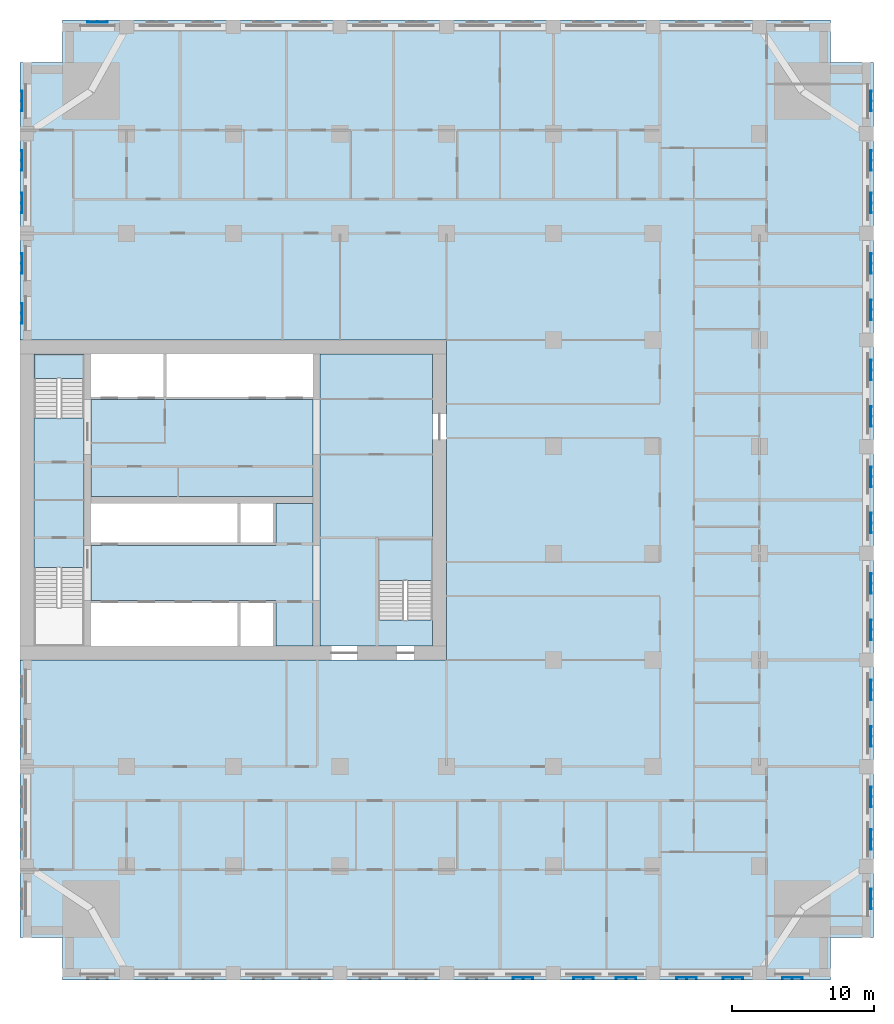
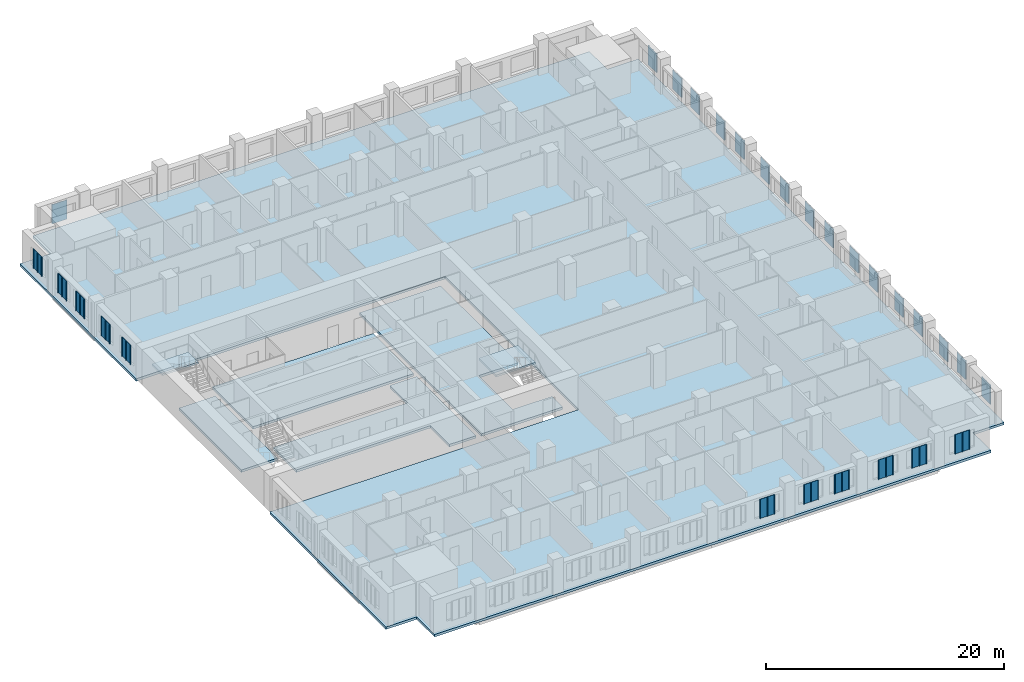
# One storey, part 2 of 14: 28 plates, 7 slabs, 2 elements without a shape of their own.
"""IFC4 building model written with IfcOpenShell, lengths in metres."""

from ifc_helpers import new_model, si_unit, direction, frame, origin, place, context, subcontext, project, spatial, polyline, outline, extrude, material, layer, layer_set, type_object, element, aggregate, save


model = new_model("IFC4")

# Units and contexts
model_context = context("Model", 3, precision=1e-05, world=origin(), true_north=direction((0.0, 1.0)))
body_context = subcontext(model_context, "Body", "Model", "MODEL_VIEW")
ifc_project = project(units=[si_unit("LENGTHUNIT", "METRE"), si_unit("AREAUNIT", "SQUARE_METRE"), si_unit("VOLUMEUNIT", "CUBIC_METRE"), si_unit("PLANEANGLEUNIT", "RADIAN"), si_unit("MASSUNIT", "GRAM", prefix="KILO")], contexts=[model_context])

# Site, building, storey
site_placement = place(None, origin())
site = spatial("IfcSite", under=ifc_project, at=site_placement, CompositionType="ELEMENT")
building_placement = place(site_placement, origin())
building = spatial("IfcBuilding", under=site, at=building_placement, Name="Tamorin Gate", CompositionType="ELEMENT")
storey_placement = place(building_placement, frame((0.0, 0.0, 37.60009765625)))
storey = spatial("IfcBuildingStorey", under=building, at=storey_placement, Name="L07", CompositionType="ELEMENT", Elevation=37.60009765625)

# Slabs
ifc_material_1 = material(Name="Concrete C40/50", Category="concrete")
ifc_layer_1 = layer(ifc_material_1, 0.25)
ifc_layer_set_1 = layer_set([ifc_layer_1], Name="Core floor slab 250 C40/50")
slab_type_1 = type_object("IfcSlabType", Name="Core floor slab 250 C40/50", PredefinedType="FLOOR", material=ifc_layer_set_1)
slab_1_placement = place(storey_placement, frame((0.0, 0.0, -0.25)))
element("IfcSlab", 1, at=slab_1_placement, inside=storey, type_object=slab_type_1, Name="Core floor L07", PredefinedType="FLOOR", context=body_context, shape_type="SweptSolid", body=[
    extrude(outline(polyline([(59.0, 62.800048828125), (59.0, 61.0), (51.10009765625, 61.0), (51.10009765625, 81.5), (59.0, 81.5), (59.0, 68.5), (55.199951171875, 68.5), (55.199951171875, 62.800048828125), (59.0, 62.800048828125)])), origin(), (0.0, 0.0, 1.0), 0.25),
])
slab_2_placement = place(storey_placement, frame((0.0, 0.0, -0.25)))
element("IfcSlab", 2, at=slab_2_placement, inside=storey, type_object=slab_type_1, Name="Core floor L07", PredefinedType="FLOOR", context=body_context, shape_type="SweptSolid", body=[
    extrude(outline(polyline([(50.60009765625, 61.0), (48.0, 61.0), (48.0, 64.199951171875), (35.0, 64.199951171875), (35.0, 68.050048828125), (48.0, 68.050048828125), (48.0, 71.0), (50.60009765625, 71.0), (50.60009765625, 61.0)])), origin(), (0.0, 0.0, 1.0), 0.25),
])
slab_3_placement = place(storey_placement, frame((0.0, 0.0, -0.25)))
element("IfcSlab", 3, at=slab_3_placement, inside=storey, type_object=slab_type_1, Name="Core floor L07", PredefinedType="FLOOR", context=body_context, shape_type="SweptSolid", body=[
    extrude(outline(polyline([(50.60009765625, 71.5), (35.0, 71.5), (35.0, 78.300048828125), (50.60009765625, 78.300048828125), (50.60009765625, 71.5)])), origin(), (0.0, 0.0, 1.0), 0.25),
])
slab_4_placement = place(storey_placement, frame((0.0, 0.0, -0.25)))
element("IfcSlab", 4, at=slab_4_placement, inside=storey, type_object=slab_type_1, Name="Core floor L07", PredefinedType="FLOOR", context=body_context, shape_type="SweptSolid", body=[
    extrude(outline(polyline([(31.0, 66.5), (31.0, 77.0), (34.5, 77.0), (34.5, 66.5), (31.0, 66.5)])), origin(), (0.0, 0.0, 1.0), 0.25),
])

# Stair, slab
stair_type = type_object("IfcStairType", Name="Exit stair", PredefinedType="HALF_TURN_STAIR", material=ifc_material_1)
stair_1_placement = place(storey_placement, origin())
stair_1 = element("IfcStair", 5, at=stair_1_placement, inside=storey, type_object=stair_type, Name="L07 stair ST2", PredefinedType="HALF_TURN_STAIR")
ifc_layer_2 = layer(ifc_material_1, 0.199951171875)
ifc_layer_set_2 = layer_set([ifc_layer_2], Name="Exit stair landing 200")
slab_type_2 = type_object("IfcSlabType", Name="Exit stair landing 200", PredefinedType="LANDING", material=ifc_layer_set_2)
slab_5_placement = place(storey_placement, frame((0.0, 0.0, 1.599853515625)))
slab_5 = element("IfcSlab", 6, at=slab_5_placement, type_object=slab_type_2, Name="ST2 landing 1", PredefinedType="LANDING", context=body_context, shape_type="SweptSolid", body=[
    extrude(outline(polyline([(34.5, 79.800048828125), (34.5, 81.5), (31.0, 81.5), (31.0, 79.800048828125), (34.5, 79.800048828125)])), origin(), (0.0, 0.0, 1.0), 0.199951171875),
])
aggregate(stair_1, [slab_5])

stair_2_placement = place(storey_placement, origin())
stair_2 = element("IfcStair", 7, at=stair_2_placement, inside=storey, type_object=stair_type, Name="L07 stair ST3", PredefinedType="HALF_TURN_STAIR")
slab_6_placement = place(storey_placement, frame((0.0, 0.0, 1.599853515625)))
slab_6 = element("IfcSlab", 8, at=slab_6_placement, type_object=slab_type_2, Name="ST3 landing 1", PredefinedType="LANDING", context=body_context, shape_type="SweptSolid", body=[
    extrude(outline(polyline([(59.0, 65.60009765625), (59.0, 68.5), (55.199951171875, 68.5), (55.199951171875, 65.60009765625), (59.0, 65.60009765625)])), origin(), (0.0, 0.0, 1.0), 0.199951171875),
])
aggregate(stair_2, [slab_6])

# Slab
ifc_layer_3 = layer(ifc_material_1, 0.25)
ifc_layer_set_3 = layer_set([ifc_layer_3], Name="Floor slab 250 C40/50")
slab_type_3 = type_object("IfcSlabType", Name="Floor slab 250 C40/50", PredefinedType="FLOOR", material=ifc_layer_set_3)
slab_7_placement = place(storey_placement, frame((0.0, 0.0, -0.25)))
element("IfcSlab", 9, at=slab_7_placement, inside=storey, type_object=slab_type_3, Name="Floor L07", PredefinedType="FLOOR", context=body_context, shape_type="SweptSolid", body=[
    extrude(outline(polyline([(30.0, 102.0), (33.0, 102.0), (33.0, 105.0), (87.0, 105.0), (87.0, 102.0), (90.0, 102.0), (90.0, 40.5), (87.0, 40.5), (87.0, 37.5), (33.0, 37.5), (33.0, 40.5), (30.0, 40.5), (30.0, 60.0), (60.0, 60.0), (60.0, 82.5), (30.0, 82.5), (30.0, 102.0)])), origin(), (0.0, 0.0, 1.0), 0.25),
])

# Plates
ifc_material_2 = material(Name="Perforated pale aluminium sheet", Category="aluminium")
ifc_layer_4 = layer(ifc_material_2, 0.0400390625)
ifc_layer_set_4 = layer_set([ifc_layer_4], Name="Pale metal solar screen 1440")
plate_type = type_object("IfcPlateType", Name="Pale metal solar screen 1440", PredefinedType="SHEET", material=ifc_layer_set_4)
plate_1_placement = place(storey_placement, frame((0.0, 0.0, 0.7099609375)))
element("IfcPlate", 10, at=plate_1_placement, inside=storey, type_object=plate_type, Name="Perforated solar screen", PredefinedType="SHEET", context=body_context, shape_type="SweptSolid", body=[
    extrude(outline(polyline([(64.655029296875, 37.659912109375), (64.655029296875, 37.699951171875), (64.715087890625, 37.699951171875), (65.344970703125, 37.699951171875), (65.405029296875, 37.699951171875), (66.034912109375, 37.699951171875), (66.094970703125, 37.699951171875), (66.094970703125, 37.659912109375), (66.094970703125, 37.60009765625), (66.034912109375, 37.60009765625), (66.034912109375, 37.659912109375), (65.405029296875, 37.659912109375), (65.405029296875, 37.60009765625), (65.344970703125, 37.60009765625), (65.344970703125, 37.659912109375), (64.715087890625, 37.659912109375), (64.715087890625, 37.60009765625), (64.655029296875, 37.60009765625), (64.655029296875, 37.659912109375)])), origin(), (0.0, 0.0, 1.0), 1.97998046875),
])
plate_2_placement = place(storey_placement, frame((0.0, 0.0, 0.7099609375)))
element("IfcPlate", 11, at=plate_2_placement, inside=storey, type_object=plate_type, Name="Perforated solar screen", PredefinedType="SHEET", context=body_context, shape_type="SweptSolid", body=[
    extrude(outline(polyline([(68.905029296875, 37.659912109375), (68.905029296875, 37.699951171875), (68.965087890625, 37.699951171875), (69.594970703125, 37.699951171875), (69.655029296875, 37.699951171875), (70.284912109375, 37.699951171875), (70.344970703125, 37.699951171875), (70.344970703125, 37.659912109375), (70.344970703125, 37.60009765625), (70.284912109375, 37.60009765625), (70.284912109375, 37.659912109375), (69.655029296875, 37.659912109375), (69.655029296875, 37.60009765625), (69.594970703125, 37.60009765625), (69.594970703125, 37.659912109375), (68.965087890625, 37.659912109375), (68.965087890625, 37.60009765625), (68.905029296875, 37.60009765625), (68.905029296875, 37.659912109375)])), origin(), (0.0, 0.0, 1.0), 1.97998046875),
])
plate_3_placement = place(storey_placement, frame((0.0, 0.0, 0.7099609375)))
element("IfcPlate", 12, at=plate_3_placement, inside=storey, type_object=plate_type, Name="Perforated solar screen", PredefinedType="SHEET", context=body_context, shape_type="SweptSolid", body=[
    extrude(outline(polyline([(71.905029296875, 37.659912109375), (71.905029296875, 37.699951171875), (71.965087890625, 37.699951171875), (72.594970703125, 37.699951171875), (72.655029296875, 37.699951171875), (73.284912109375, 37.699951171875), (73.344970703125, 37.699951171875), (73.344970703125, 37.659912109375), (73.344970703125, 37.60009765625), (73.284912109375, 37.60009765625), (73.284912109375, 37.659912109375), (72.655029296875, 37.659912109375), (72.655029296875, 37.60009765625), (72.594970703125, 37.60009765625), (72.594970703125, 37.659912109375), (71.965087890625, 37.659912109375), (71.965087890625, 37.60009765625), (71.905029296875, 37.60009765625), (71.905029296875, 37.659912109375)])), origin(), (0.0, 0.0, 1.0), 1.97998046875),
])
plate_4_placement = place(storey_placement, frame((0.0, 0.0, 0.7099609375)))
element("IfcPlate", 13, at=plate_4_placement, inside=storey, type_object=plate_type, Name="Perforated solar screen", PredefinedType="SHEET", context=body_context, shape_type="SweptSolid", body=[
    extrude(outline(polyline([(76.155029296875, 37.659912109375), (76.155029296875, 37.699951171875), (76.215087890625, 37.699951171875), (76.844970703125, 37.699951171875), (76.905029296875, 37.699951171875), (77.534912109375, 37.699951171875), (77.594970703125, 37.699951171875), (77.594970703125, 37.659912109375), (77.594970703125, 37.60009765625), (77.534912109375, 37.60009765625), (77.534912109375, 37.659912109375), (76.905029296875, 37.659912109375), (76.905029296875, 37.60009765625), (76.844970703125, 37.60009765625), (76.844970703125, 37.659912109375), (76.215087890625, 37.659912109375), (76.215087890625, 37.60009765625), (76.155029296875, 37.60009765625), (76.155029296875, 37.659912109375)])), origin(), (0.0, 0.0, 1.0), 1.97998046875),
])
plate_5_placement = place(storey_placement, frame((0.0, 0.0, 0.7099609375)))
element("IfcPlate", 14, at=plate_5_placement, inside=storey, type_object=plate_type, Name="Perforated solar screen", PredefinedType="SHEET", context=body_context, shape_type="SweptSolid", body=[
    extrude(outline(polyline([(79.405029296875, 37.659912109375), (79.405029296875, 37.699951171875), (79.465087890625, 37.699951171875), (80.094970703125, 37.699951171875), (80.155029296875, 37.699951171875), (80.784912109375, 37.699951171875), (80.844970703125, 37.699951171875), (80.844970703125, 37.659912109375), (80.844970703125, 37.60009765625), (80.784912109375, 37.60009765625), (80.784912109375, 37.659912109375), (80.155029296875, 37.659912109375), (80.155029296875, 37.60009765625), (80.094970703125, 37.60009765625), (80.094970703125, 37.659912109375), (79.465087890625, 37.659912109375), (79.465087890625, 37.60009765625), (79.405029296875, 37.60009765625), (79.405029296875, 37.659912109375)])), origin(), (0.0, 0.0, 1.0), 1.97998046875),
])
plate_6_placement = place(storey_placement, frame((0.0, 0.0, 0.7099609375)))
element("IfcPlate", 15, at=plate_6_placement, inside=storey, type_object=plate_type, Name="Perforated solar screen", PredefinedType="SHEET", context=body_context, shape_type="SweptSolid", body=[
    extrude(outline(polyline([(83.580078125, 37.659912109375), (83.580078125, 37.699951171875), (83.639892578125, 37.699951171875), (84.27001953125, 37.699951171875), (84.330078125, 37.699951171875), (84.9599609375, 37.699951171875), (85.02001953125, 37.699951171875), (85.02001953125, 37.659912109375), (85.02001953125, 37.60009765625), (84.9599609375, 37.60009765625), (84.9599609375, 37.659912109375), (84.330078125, 37.659912109375), (84.330078125, 37.60009765625), (84.27001953125, 37.60009765625), (84.27001953125, 37.659912109375), (83.639892578125, 37.659912109375), (83.639892578125, 37.60009765625), (83.580078125, 37.60009765625), (83.580078125, 37.659912109375)])), origin(), (0.0, 0.0, 1.0), 1.97998046875),
])
plate_7_placement = place(storey_placement, frame((0.0, 0.0, 0.7099609375)))
element("IfcPlate", 16, at=plate_7_placement, inside=storey, type_object=plate_type, Name="Perforated solar screen", PredefinedType="SHEET", context=body_context, shape_type="SweptSolid", body=[
    extrude(outline(polyline([(89.840087890625, 42.47998046875), (89.800048828125, 42.47998046875), (89.800048828125, 42.5400390625), (89.800048828125, 43.169921875), (89.800048828125, 43.22998046875), (89.800048828125, 43.860107421875), (89.800048828125, 43.919921875), (89.840087890625, 43.919921875), (89.89990234375, 43.919921875), (89.89990234375, 43.860107421875), (89.840087890625, 43.860107421875), (89.840087890625, 43.22998046875), (89.89990234375, 43.22998046875), (89.89990234375, 43.169921875), (89.840087890625, 43.169921875), (89.840087890625, 42.5400390625), (89.89990234375, 42.5400390625), (89.89990234375, 42.47998046875), (89.840087890625, 42.47998046875)])), origin(), (0.0, 0.0, 1.0), 1.97998046875),
])
plate_8_placement = place(storey_placement, frame((0.0, 0.0, 0.7099609375)))
element("IfcPlate", 17, at=plate_8_placement, inside=storey, type_object=plate_type, Name="Perforated solar screen", PredefinedType="SHEET", context=body_context, shape_type="SweptSolid", body=[
    extrude(outline(polyline([(89.840087890625, 46.655029296875), (89.800048828125, 46.655029296875), (89.800048828125, 46.715087890625), (89.800048828125, 47.344970703125), (89.800048828125, 47.405029296875), (89.800048828125, 48.034912109375), (89.800048828125, 48.094970703125), (89.800048828125, 48.094970703125), (89.840087890625, 48.094970703125), (89.840087890625, 48.094970703125), (89.89990234375, 48.094970703125), (89.89990234375, 48.034912109375), (89.840087890625, 48.034912109375), (89.840087890625, 47.405029296875), (89.89990234375, 47.405029296875), (89.89990234375, 47.344970703125), (89.840087890625, 47.344970703125), (89.840087890625, 46.715087890625), (89.89990234375, 46.715087890625), (89.89990234375, 46.655029296875), (89.840087890625, 46.655029296875)])), origin(), (0.0, 0.0, 1.0), 1.97998046875),
])
plate_9_placement = place(storey_placement, frame((0.0, 0.0, 0.7099609375)))
element("IfcPlate", 18, at=plate_9_placement, inside=storey, type_object=plate_type, Name="Perforated solar screen", PredefinedType="SHEET", context=body_context, shape_type="SweptSolid", body=[
    extrude(outline(polyline([(89.840087890625, 49.655029296875), (89.800048828125, 49.655029296875), (89.800048828125, 49.715087890625), (89.800048828125, 50.344970703125), (89.800048828125, 50.405029296875), (89.800048828125, 51.034912109375), (89.800048828125, 51.094970703125), (89.840087890625, 51.094970703125), (89.89990234375, 51.094970703125), (89.89990234375, 51.034912109375), (89.840087890625, 51.034912109375), (89.840087890625, 50.405029296875), (89.89990234375, 50.405029296875), (89.89990234375, 50.344970703125), (89.840087890625, 50.344970703125), (89.840087890625, 49.715087890625), (89.89990234375, 49.715087890625), (89.89990234375, 49.655029296875), (89.840087890625, 49.655029296875)])), origin(), (0.0, 0.0, 1.0), 1.97998046875),
])
plate_10_placement = place(storey_placement, frame((0.0, 0.0, 0.7099609375)))
element("IfcPlate", 19, at=plate_10_placement, inside=storey, type_object=plate_type, Name="Perforated solar screen", PredefinedType="SHEET", context=body_context, shape_type="SweptSolid", body=[
    extrude(outline(polyline([(89.840087890625, 53.905029296875), (89.800048828125, 53.905029296875), (89.800048828125, 53.965087890625), (89.800048828125, 54.594970703125), (89.800048828125, 54.655029296875), (89.800048828125, 55.284912109375), (89.800048828125, 55.344970703125), (89.840087890625, 55.344970703125), (89.89990234375, 55.344970703125), (89.89990234375, 55.284912109375), (89.840087890625, 55.284912109375), (89.840087890625, 54.655029296875), (89.89990234375, 54.655029296875), (89.89990234375, 54.594970703125), (89.840087890625, 54.594970703125), (89.840087890625, 53.965087890625), (89.89990234375, 53.965087890625), (89.89990234375, 53.905029296875), (89.840087890625, 53.905029296875)])), origin(), (0.0, 0.0, 1.0), 1.97998046875),
])
plate_11_placement = place(storey_placement, frame((0.0, 0.0, 0.7099609375)))
element("IfcPlate", 20, at=plate_11_placement, inside=storey, type_object=plate_type, Name="Perforated solar screen", PredefinedType="SHEET", context=body_context, shape_type="SweptSolid", body=[
    extrude(outline(polyline([(89.840087890625, 57.155029296875), (89.800048828125, 57.155029296875), (89.800048828125, 57.215087890625), (89.800048828125, 57.844970703125), (89.800048828125, 57.905029296875), (89.800048828125, 58.534912109375), (89.800048828125, 58.594970703125), (89.840087890625, 58.594970703125), (89.89990234375, 58.594970703125), (89.89990234375, 58.534912109375), (89.840087890625, 58.534912109375), (89.840087890625, 57.905029296875), (89.89990234375, 57.905029296875), (89.89990234375, 57.844970703125), (89.840087890625, 57.844970703125), (89.840087890625, 57.215087890625), (89.89990234375, 57.215087890625), (89.89990234375, 57.155029296875), (89.840087890625, 57.155029296875)])), origin(), (0.0, 0.0, 1.0), 1.97998046875),
])
plate_12_placement = place(storey_placement, frame((0.0, 0.0, 0.7099609375)))
element("IfcPlate", 21, at=plate_12_placement, inside=storey, type_object=plate_type, Name="Perforated solar screen", PredefinedType="SHEET", context=body_context, shape_type="SweptSolid", body=[
    extrude(outline(polyline([(89.840087890625, 61.405029296875), (89.800048828125, 61.405029296875), (89.800048828125, 61.465087890625), (89.800048828125, 62.094970703125), (89.800048828125, 62.155029296875), (89.800048828125, 62.784912109375), (89.800048828125, 62.844970703125), (89.840087890625, 62.844970703125), (89.89990234375, 62.844970703125), (89.89990234375, 62.784912109375), (89.840087890625, 62.784912109375), (89.840087890625, 62.155029296875), (89.89990234375, 62.155029296875), (89.89990234375, 62.094970703125), (89.840087890625, 62.094970703125), (89.840087890625, 61.465087890625), (89.89990234375, 61.465087890625), (89.89990234375, 61.405029296875), (89.840087890625, 61.405029296875)])), origin(), (0.0, 0.0, 1.0), 1.97998046875),
])
plate_13_placement = place(storey_placement, frame((0.0, 0.0, 0.7099609375)))
element("IfcPlate", 22, at=plate_13_placement, inside=storey, type_object=plate_type, Name="Perforated solar screen", PredefinedType="SHEET", context=body_context, shape_type="SweptSolid", body=[
    extrude(outline(polyline([(89.840087890625, 64.655029296875), (89.800048828125, 64.655029296875), (89.800048828125, 64.715087890625), (89.800048828125, 65.344970703125), (89.800048828125, 65.405029296875), (89.800048828125, 66.034912109375), (89.800048828125, 66.094970703125), (89.840087890625, 66.094970703125), (89.89990234375, 66.094970703125), (89.89990234375, 66.034912109375), (89.840087890625, 66.034912109375), (89.840087890625, 65.405029296875), (89.89990234375, 65.405029296875), (89.89990234375, 65.344970703125), (89.840087890625, 65.344970703125), (89.840087890625, 64.715087890625), (89.89990234375, 64.715087890625), (89.89990234375, 64.655029296875), (89.840087890625, 64.655029296875)])), origin(), (0.0, 0.0, 1.0), 1.97998046875),
])
plate_14_placement = place(storey_placement, frame((0.0, 0.0, 0.7099609375)))
element("IfcPlate", 23, at=plate_14_placement, inside=storey, type_object=plate_type, Name="Perforated solar screen", PredefinedType="SHEET", context=body_context, shape_type="SweptSolid", body=[
    extrude(outline(polyline([(89.840087890625, 68.905029296875), (89.800048828125, 68.905029296875), (89.800048828125, 68.965087890625), (89.800048828125, 69.594970703125), (89.800048828125, 69.655029296875), (89.800048828125, 70.284912109375), (89.800048828125, 70.344970703125), (89.840087890625, 70.344970703125), (89.89990234375, 70.344970703125), (89.89990234375, 70.284912109375), (89.840087890625, 70.284912109375), (89.840087890625, 69.655029296875), (89.89990234375, 69.655029296875), (89.89990234375, 69.594970703125), (89.840087890625, 69.594970703125), (89.840087890625, 68.965087890625), (89.89990234375, 68.965087890625), (89.89990234375, 68.905029296875), (89.840087890625, 68.905029296875)])), origin(), (0.0, 0.0, 1.0), 1.97998046875),
])
plate_15_placement = place(storey_placement, frame((0.0, 0.0, 0.7099609375)))
element("IfcPlate", 24, at=plate_15_placement, inside=storey, type_object=plate_type, Name="Perforated solar screen", PredefinedType="SHEET", context=body_context, shape_type="SweptSolid", body=[
    extrude(outline(polyline([(89.840087890625, 72.155029296875), (89.800048828125, 72.155029296875), (89.800048828125, 72.215087890625), (89.800048828125, 72.844970703125), (89.800048828125, 72.905029296875), (89.800048828125, 73.534912109375), (89.800048828125, 73.594970703125), (89.840087890625, 73.594970703125), (89.89990234375, 73.594970703125), (89.89990234375, 73.534912109375), (89.840087890625, 73.534912109375), (89.840087890625, 72.905029296875), (89.89990234375, 72.905029296875), (89.89990234375, 72.844970703125), (89.840087890625, 72.844970703125), (89.840087890625, 72.215087890625), (89.89990234375, 72.215087890625), (89.89990234375, 72.155029296875), (89.840087890625, 72.155029296875)])), origin(), (0.0, 0.0, 1.0), 1.97998046875),
])
plate_16_placement = place(storey_placement, frame((0.0, 0.0, 0.7099609375)))
element("IfcPlate", 25, at=plate_16_placement, inside=storey, type_object=plate_type, Name="Perforated solar screen", PredefinedType="SHEET", context=body_context, shape_type="SweptSolid", body=[
    extrude(outline(polyline([(89.840087890625, 76.405029296875), (89.800048828125, 76.405029296875), (89.800048828125, 76.465087890625), (89.800048828125, 77.094970703125), (89.800048828125, 77.155029296875), (89.800048828125, 77.784912109375), (89.800048828125, 77.844970703125), (89.840087890625, 77.844970703125), (89.89990234375, 77.844970703125), (89.89990234375, 77.784912109375), (89.840087890625, 77.784912109375), (89.840087890625, 77.155029296875), (89.89990234375, 77.155029296875), (89.89990234375, 77.094970703125), (89.840087890625, 77.094970703125), (89.840087890625, 76.465087890625), (89.89990234375, 76.465087890625), (89.89990234375, 76.405029296875), (89.840087890625, 76.405029296875)])), origin(), (0.0, 0.0, 1.0), 1.97998046875),
])
plate_17_placement = place(storey_placement, frame((0.0, 0.0, 0.7099609375)))
element("IfcPlate", 26, at=plate_17_placement, inside=storey, type_object=plate_type, Name="Perforated solar screen", PredefinedType="SHEET", context=body_context, shape_type="SweptSolid", body=[
    extrude(outline(polyline([(89.840087890625, 79.655029296875), (89.800048828125, 79.655029296875), (89.800048828125, 79.715087890625), (89.800048828125, 80.344970703125), (89.800048828125, 80.405029296875), (89.800048828125, 81.034912109375), (89.800048828125, 81.094970703125), (89.840087890625, 81.094970703125), (89.89990234375, 81.094970703125), (89.89990234375, 81.034912109375), (89.840087890625, 81.034912109375), (89.840087890625, 80.405029296875), (89.89990234375, 80.405029296875), (89.89990234375, 80.344970703125), (89.840087890625, 80.344970703125), (89.840087890625, 79.715087890625), (89.89990234375, 79.715087890625), (89.89990234375, 79.655029296875), (89.840087890625, 79.655029296875)])), origin(), (0.0, 0.0, 1.0), 1.97998046875),
])
plate_18_placement = place(storey_placement, frame((0.0, 0.0, 0.7099609375)))
element("IfcPlate", 27, at=plate_18_placement, inside=storey, type_object=plate_type, Name="Perforated solar screen", PredefinedType="SHEET", context=body_context, shape_type="SweptSolid", body=[
    extrude(outline(polyline([(89.840087890625, 83.905029296875), (89.800048828125, 83.905029296875), (89.800048828125, 83.965087890625), (89.800048828125, 84.594970703125), (89.800048828125, 84.655029296875), (89.800048828125, 85.284912109375), (89.800048828125, 85.344970703125), (89.840087890625, 85.344970703125), (89.89990234375, 85.344970703125), (89.89990234375, 85.284912109375), (89.840087890625, 85.284912109375), (89.840087890625, 84.655029296875), (89.89990234375, 84.655029296875), (89.89990234375, 84.594970703125), (89.840087890625, 84.594970703125), (89.840087890625, 83.965087890625), (89.89990234375, 83.965087890625), (89.89990234375, 83.905029296875), (89.840087890625, 83.905029296875)])), origin(), (0.0, 0.0, 1.0), 1.97998046875),
])
plate_19_placement = place(storey_placement, frame((0.0, 0.0, 0.7099609375)))
element("IfcPlate", 28, at=plate_19_placement, inside=storey, type_object=plate_type, Name="Perforated solar screen", PredefinedType="SHEET", context=body_context, shape_type="SweptSolid", body=[
    extrude(outline(polyline([(89.840087890625, 87.155029296875), (89.800048828125, 87.155029296875), (89.800048828125, 87.215087890625), (89.800048828125, 87.844970703125), (89.800048828125, 87.905029296875), (89.800048828125, 88.534912109375), (89.800048828125, 88.594970703125), (89.840087890625, 88.594970703125), (89.89990234375, 88.594970703125), (89.89990234375, 88.534912109375), (89.840087890625, 88.534912109375), (89.840087890625, 87.905029296875), (89.89990234375, 87.905029296875), (89.89990234375, 87.844970703125), (89.840087890625, 87.844970703125), (89.840087890625, 87.215087890625), (89.89990234375, 87.215087890625), (89.89990234375, 87.155029296875), (89.840087890625, 87.155029296875)])), origin(), (0.0, 0.0, 1.0), 1.97998046875),
])
plate_20_placement = place(storey_placement, frame((0.0, 0.0, 0.7099609375)))
element("IfcPlate", 29, at=plate_20_placement, inside=storey, type_object=plate_type, Name="Perforated solar screen", PredefinedType="SHEET", context=body_context, shape_type="SweptSolid", body=[
    extrude(outline(polyline([(89.840087890625, 91.405029296875), (89.800048828125, 91.405029296875), (89.800048828125, 91.465087890625), (89.800048828125, 92.094970703125), (89.800048828125, 92.155029296875), (89.800048828125, 92.784912109375), (89.800048828125, 92.844970703125), (89.840087890625, 92.844970703125), (89.89990234375, 92.844970703125), (89.89990234375, 92.784912109375), (89.840087890625, 92.784912109375), (89.840087890625, 92.155029296875), (89.89990234375, 92.155029296875), (89.89990234375, 92.094970703125), (89.840087890625, 92.094970703125), (89.840087890625, 91.465087890625), (89.89990234375, 91.465087890625), (89.89990234375, 91.405029296875), (89.840087890625, 91.405029296875)])), origin(), (0.0, 0.0, 1.0), 1.97998046875),
])
plate_21_placement = place(storey_placement, frame((0.0, 0.0, 0.7099609375)))
element("IfcPlate", 30, at=plate_21_placement, inside=storey, type_object=plate_type, Name="Perforated solar screen", PredefinedType="SHEET", context=body_context, shape_type="SweptSolid", body=[
    extrude(outline(polyline([(89.840087890625, 94.405029296875), (89.800048828125, 94.405029296875), (89.800048828125, 94.465087890625), (89.800048828125, 95.094970703125), (89.800048828125, 95.155029296875), (89.800048828125, 95.784912109375), (89.800048828125, 95.844970703125), (89.840087890625, 95.844970703125), (89.89990234375, 95.844970703125), (89.89990234375, 95.784912109375), (89.840087890625, 95.784912109375), (89.840087890625, 95.155029296875), (89.89990234375, 95.155029296875), (89.89990234375, 95.094970703125), (89.840087890625, 95.094970703125), (89.840087890625, 94.465087890625), (89.89990234375, 94.465087890625), (89.89990234375, 94.405029296875), (89.840087890625, 94.405029296875)])), origin(), (0.0, 0.0, 1.0), 1.97998046875),
])
plate_22_placement = place(storey_placement, frame((0.0, 0.0, 0.7099609375)))
element("IfcPlate", 31, at=plate_22_placement, inside=storey, type_object=plate_type, Name="Perforated solar screen", PredefinedType="SHEET", context=body_context, shape_type="SweptSolid", body=[
    extrude(outline(polyline([(89.840087890625, 98.580078125), (89.800048828125, 98.580078125), (89.800048828125, 98.639892578125), (89.800048828125, 99.27001953125), (89.800048828125, 99.330078125), (89.800048828125, 99.9599609375), (89.800048828125, 100.02001953125), (89.840087890625, 100.02001953125), (89.89990234375, 100.02001953125), (89.89990234375, 99.9599609375), (89.840087890625, 99.9599609375), (89.840087890625, 99.330078125), (89.89990234375, 99.330078125), (89.89990234375, 99.27001953125), (89.840087890625, 99.27001953125), (89.840087890625, 98.639892578125), (89.89990234375, 98.639892578125), (89.89990234375, 98.580078125), (89.840087890625, 98.580078125)])), origin(), (0.0, 0.0, 1.0), 1.97998046875),
])
plate_23_placement = place(storey_placement, frame((0.0, 0.0, 0.7099609375)))
element("IfcPlate", 32, at=plate_23_placement, inside=storey, type_object=plate_type, Name="Perforated solar screen", PredefinedType="SHEET", context=body_context, shape_type="SweptSolid", body=[
    extrude(outline(polyline([(36.169921875, 104.840087890625), (36.169921875, 104.800048828125), (36.110107421875, 104.800048828125), (35.47998046875, 104.800048828125), (35.419921875, 104.800048828125), (34.7900390625, 104.800048828125), (34.72998046875, 104.800048828125), (34.72998046875, 104.840087890625), (34.72998046875, 104.89990234375), (34.7900390625, 104.89990234375), (34.7900390625, 104.840087890625), (35.419921875, 104.840087890625), (35.419921875, 104.89990234375), (35.47998046875, 104.89990234375), (35.47998046875, 104.840087890625), (36.110107421875, 104.840087890625), (36.110107421875, 104.89990234375), (36.169921875, 104.89990234375), (36.169921875, 104.840087890625)])), origin(), (0.0, 0.0, 1.0), 1.97998046875),
])
plate_24_placement = place(storey_placement, frame((0.0, 0.0, 0.7099609375)))
element("IfcPlate", 33, at=plate_24_placement, inside=storey, type_object=plate_type, Name="Perforated solar screen", PredefinedType="SHEET", context=body_context, shape_type="SweptSolid", body=[
    extrude(outline(polyline([(30.159912109375, 100.02001953125), (30.199951171875, 100.02001953125), (30.199951171875, 99.9599609375), (30.199951171875, 99.330078125), (30.199951171875, 99.27001953125), (30.199951171875, 98.639892578125), (30.199951171875, 98.580078125), (30.159912109375, 98.580078125), (30.10009765625, 98.580078125), (30.10009765625, 98.639892578125), (30.159912109375, 98.639892578125), (30.159912109375, 99.27001953125), (30.10009765625, 99.27001953125), (30.10009765625, 99.330078125), (30.159912109375, 99.330078125), (30.159912109375, 99.9599609375), (30.10009765625, 99.9599609375), (30.10009765625, 100.02001953125), (30.159912109375, 100.02001953125)])), origin(), (0.0, 0.0, 1.0), 1.97998046875),
])
plate_25_placement = place(storey_placement, frame((0.0, 0.0, 0.7099609375)))
element("IfcPlate", 34, at=plate_25_placement, inside=storey, type_object=plate_type, Name="Perforated solar screen", PredefinedType="SHEET", context=body_context, shape_type="SweptSolid", body=[
    extrude(outline(polyline([(30.159912109375, 92.844970703125), (30.199951171875, 92.844970703125), (30.199951171875, 92.784912109375), (30.199951171875, 92.155029296875), (30.199951171875, 92.094970703125), (30.199951171875, 91.465087890625), (30.199951171875, 91.405029296875), (30.159912109375, 91.405029296875), (30.10009765625, 91.405029296875), (30.10009765625, 91.465087890625), (30.159912109375, 91.465087890625), (30.159912109375, 92.094970703125), (30.10009765625, 92.094970703125), (30.10009765625, 92.155029296875), (30.159912109375, 92.155029296875), (30.159912109375, 92.784912109375), (30.10009765625, 92.784912109375), (30.10009765625, 92.844970703125), (30.159912109375, 92.844970703125)])), origin(), (0.0, 0.0, 1.0), 1.97998046875),
])
plate_26_placement = place(storey_placement, frame((0.0, 0.0, 0.7099609375)))
element("IfcPlate", 35, at=plate_26_placement, inside=storey, type_object=plate_type, Name="Perforated solar screen", PredefinedType="SHEET", context=body_context, shape_type="SweptSolid", body=[
    extrude(outline(polyline([(30.159912109375, 95.844970703125), (30.199951171875, 95.844970703125), (30.199951171875, 95.784912109375), (30.199951171875, 95.155029296875), (30.199951171875, 95.094970703125), (30.199951171875, 94.465087890625), (30.199951171875, 94.405029296875), (30.199951171875, 94.405029296875), (30.159912109375, 94.405029296875), (30.159912109375, 94.405029296875), (30.10009765625, 94.405029296875), (30.10009765625, 94.465087890625), (30.159912109375, 94.465087890625), (30.159912109375, 95.094970703125), (30.10009765625, 95.094970703125), (30.10009765625, 95.155029296875), (30.159912109375, 95.155029296875), (30.159912109375, 95.784912109375), (30.10009765625, 95.784912109375), (30.10009765625, 95.844970703125), (30.159912109375, 95.844970703125)])), origin(), (0.0, 0.0, 1.0), 1.97998046875),
])
plate_27_placement = place(storey_placement, frame((0.0, 0.0, 0.7099609375)))
element("IfcPlate", 36, at=plate_27_placement, inside=storey, type_object=plate_type, Name="Perforated solar screen", PredefinedType="SHEET", context=body_context, shape_type="SweptSolid", body=[
    extrude(outline(polyline([(30.159912109375, 85.094970703125), (30.199951171875, 85.094970703125), (30.199951171875, 85.034912109375), (30.199951171875, 84.405029296875), (30.199951171875, 84.344970703125), (30.199951171875, 83.715087890625), (30.199951171875, 83.655029296875), (30.159912109375, 83.655029296875), (30.10009765625, 83.655029296875), (30.10009765625, 83.715087890625), (30.159912109375, 83.715087890625), (30.159912109375, 84.344970703125), (30.10009765625, 84.344970703125), (30.10009765625, 84.405029296875), (30.159912109375, 84.405029296875), (30.159912109375, 85.034912109375), (30.10009765625, 85.034912109375), (30.10009765625, 85.094970703125), (30.159912109375, 85.094970703125)])), origin(), (0.0, 0.0, 1.0), 1.97998046875),
])
plate_28_placement = place(storey_placement, frame((0.0, 0.0, 0.7099609375)))
element("IfcPlate", 37, at=plate_28_placement, inside=storey, type_object=plate_type, Name="Perforated solar screen", PredefinedType="SHEET", context=body_context, shape_type="SweptSolid", body=[
    extrude(outline(polyline([(30.159912109375, 88.594970703125), (30.199951171875, 88.594970703125), (30.199951171875, 88.534912109375), (30.199951171875, 87.905029296875), (30.199951171875, 87.844970703125), (30.199951171875, 87.215087890625), (30.199951171875, 87.155029296875), (30.159912109375, 87.155029296875), (30.10009765625, 87.155029296875), (30.10009765625, 87.215087890625), (30.159912109375, 87.215087890625), (30.159912109375, 87.844970703125), (30.10009765625, 87.844970703125), (30.10009765625, 87.905029296875), (30.159912109375, 87.905029296875), (30.159912109375, 88.534912109375), (30.10009765625, 88.534912109375), (30.10009765625, 88.594970703125), (30.159912109375, 88.594970703125)])), origin(), (0.0, 0.0, 1.0), 1.97998046875),
])

save(model, "model.ifc")
